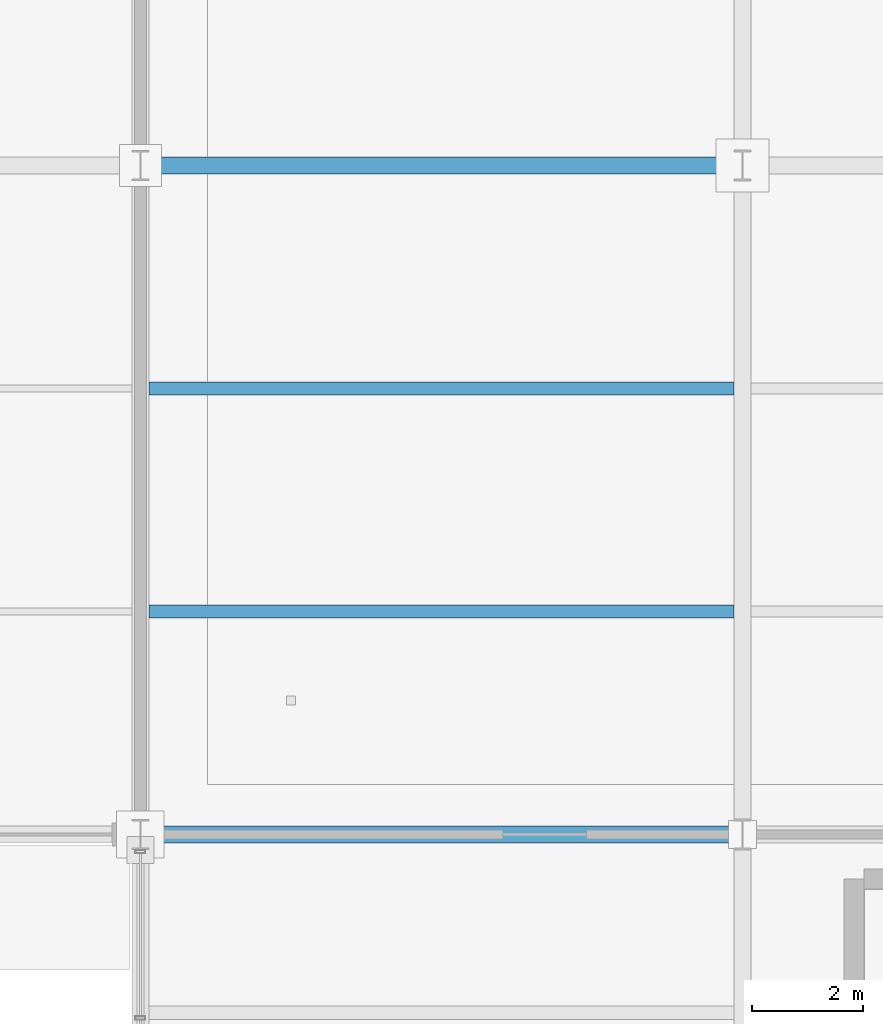
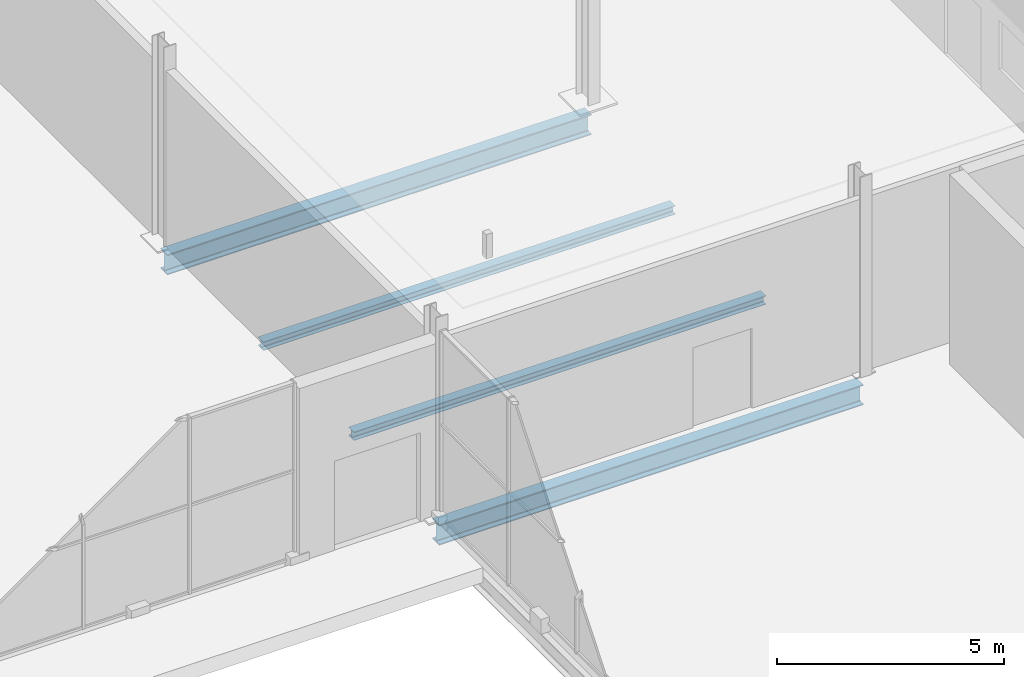
# One storey, part 129 of 196: 4 beams.
"""IFC4 building model written with IfcOpenShell, lengths in metres."""

from ifc_helpers import new_model, si_unit, direction, frame, origin, origin_2d, place, context, subcontext, project, spatial, i_section, extrude, material, material_profile, profile_set, type_object, element, save


model = new_model("IFC4")

# Units and contexts
model_context = context("Model", 3, precision=1e-05, world=origin(), true_north=direction((0.0, 1.0)))
body_context = subcontext(model_context, "Body", "Model", "MODEL_VIEW")
ifc_project = project(units=[si_unit("LENGTHUNIT", "METRE"), si_unit("AREAUNIT", "SQUARE_METRE"), si_unit("VOLUMEUNIT", "CUBIC_METRE"), si_unit("PLANEANGLEUNIT", "RADIAN"), si_unit("MASSUNIT", "GRAM", prefix="KILO")], contexts=[model_context])

# Site, building, storey
site_placement = place(None, origin())
site = spatial("IfcSite", under=ifc_project, at=site_placement, CompositionType="ELEMENT")
building_placement = place(site_placement, origin())
building = spatial("IfcBuilding", under=site, at=building_placement, Name="Merenkruunu Market Hall", CompositionType="ELEMENT")
storey_placement = place(building_placement, origin())
storey = spatial("IfcBuildingStorey", under=building, at=storey_placement, Name="L00", CompositionType="ELEMENT", Elevation=0.0)

# Beams
ifc_material = material(Name="Steel S355J2", Category="steel")
ifc_material_profile_1 = material_profile(ifc_material, i_section(OverallWidth=0.300048828125, OverallDepth=0.550048828125, WebThickness=0.014892578125, FlangeThickness=0.029052734375, FilletRadius=0.027099609375, at=origin_2d()), Name="HEB 550")
ifc_profile_set_1 = profile_set([ifc_material_profile_1], Name="Steel S355J2")
beam_type_1 = type_object("IfcBeamType", Name="Primary Floor Girder B02", PredefinedType="BEAM", material=ifc_profile_set_1)
for number, where, z_axis, x_axis, name in (
    (1, (148.800048828125, 15.60009765625, -0.574951171875), (1.0, 0.0, 0.0), (0.0, 1.0, 0.0), "BM-L00-B02-0023"),
    (2, (148.800048828125, 27.60009765625, -0.574951171875), (1.0, 0.0, 0.0), (0.0, 1.0, 0.0), "BM-L00-B02-0041"),
):
    element("IfcBeam", number, at=place(storey_placement, frame(where, z_axis=z_axis, x_axis=x_axis)), inside=storey, type_object=beam_type_1, Name=name, PredefinedType="BEAM", context=body_context, shape_type="SweptSolid", body=[
        extrude(i_section(OverallWidth=0.300048828125, OverallDepth=0.550048828125, WebThickness=0.014892578125, FlangeThickness=0.029052734375, FilletRadius=0.027099609375, at=origin_2d()), origin(), (0.0, 0.0, 1.0), 10.800048828125),
    ])
ifc_material_profile_2 = material_profile(ifc_material, i_section(OverallWidth=0.239990234375, OverallDepth=0.22998046875, WebThickness=0.007568359375, FlangeThickness=0.011962890625, FilletRadius=0.02099609375, at=origin_2d()), Name="HEA 240")
ifc_profile_set_2 = profile_set([ifc_material_profile_2], Name="Steel S355J2")
beam_type_2 = type_object("IfcBeamType", Name="Secondary Floor Joist J06", PredefinedType="JOIST", material=ifc_profile_set_2)
for number, where, z_axis, x_axis, name in (
    (3, (148.952880859375, 19.60009765625, -0.4150390625), (1.0, 0.0, 0.0), (0.0, 1.0, 0.0), "BM-L00-J06-0425"),
    (4, (148.952880859375, 23.60009765625, -0.4150390625), (1.0, 0.0, 0.0), (0.0, 1.0, 0.0), "BM-L00-J06-0426"),
):
    element("IfcBeam", number, at=place(storey_placement, frame(where, z_axis=z_axis, x_axis=x_axis)), inside=storey, type_object=beam_type_2, Name=name, PredefinedType="JOIST", context=body_context, shape_type="SweptSolid", body=[
        extrude(i_section(OverallWidth=0.239990234375, OverallDepth=0.22998046875, WebThickness=0.007568359375, FlangeThickness=0.011962890625, FilletRadius=0.02099609375, at=origin_2d()), origin(), (0.0, 0.0, 1.0), 10.494140625),
    ])

save(model, "model.ifc")
